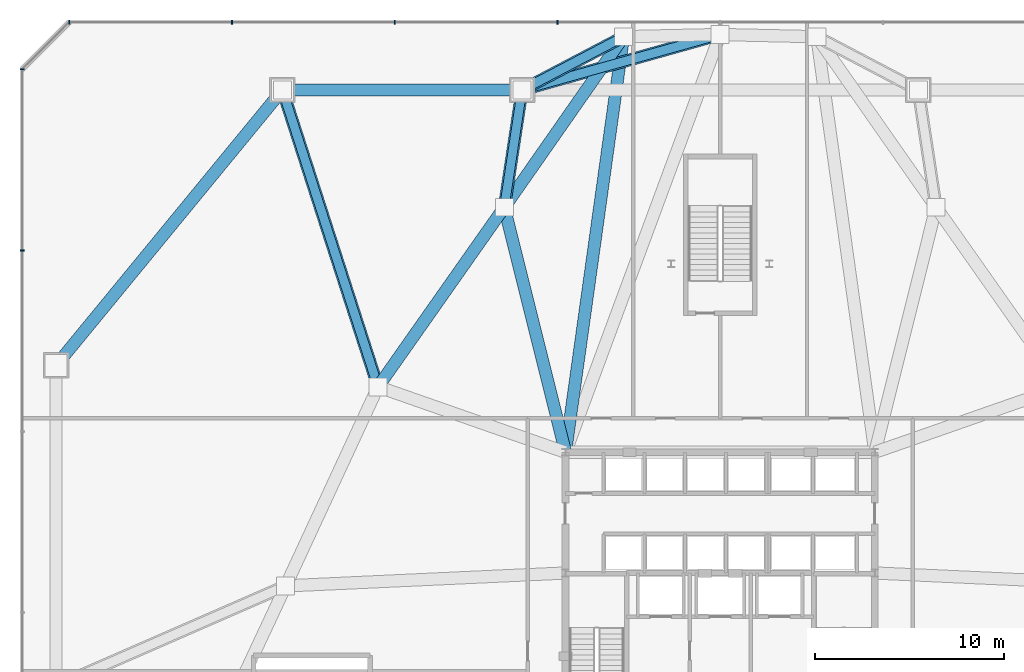
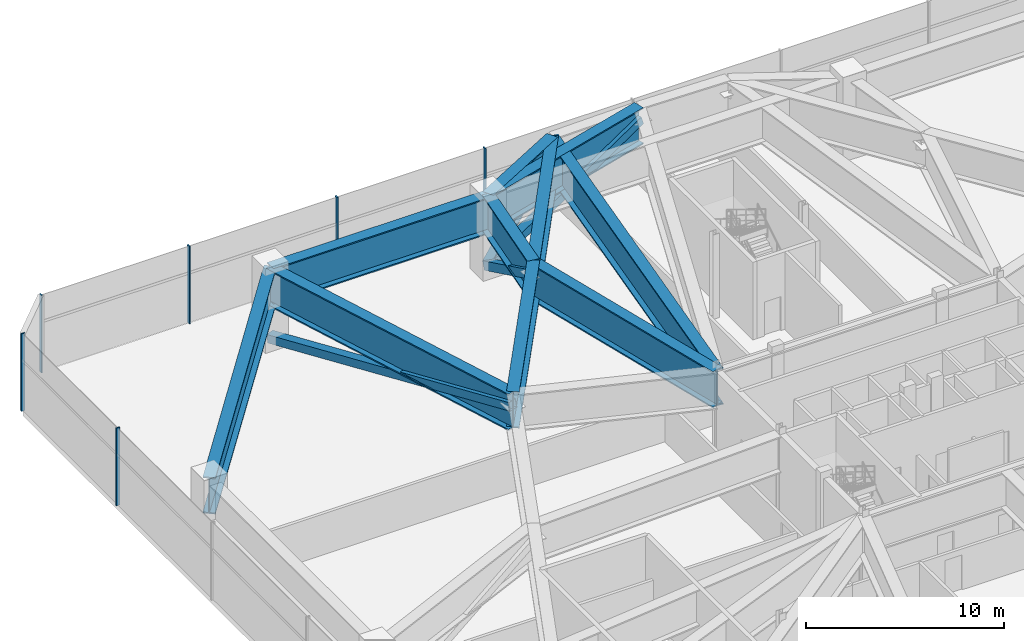
# One storey, part 12 of 29: 10 beams, 10 members, 2 elements without a shape of their own.
"""IFC4 building model written with IfcOpenShell, lengths in metres."""

from ifc_helpers import new_model, si_unit, direction, frame, origin, origin_2d, place, context, subcontext, project, spatial, rectangle, hollow_rectangle, i_section, extrude, source, transform, mapped, material, layer, layer_set, material_profile, profile_set, type_object, type_shapes, element, aggregate, save


model = new_model("IFC4")

# Units and contexts
model_context = context("Model", 3, precision=1e-05, world=origin(), true_north=direction((0.0, 1.0)))
body_context = subcontext(model_context, "Body", "Model", "MODEL_VIEW")
ifc_project = project(units=[si_unit("LENGTHUNIT", "METRE"), si_unit("AREAUNIT", "SQUARE_METRE"), si_unit("VOLUMEUNIT", "CUBIC_METRE"), si_unit("PLANEANGLEUNIT", "RADIAN"), si_unit("MASSUNIT", "GRAM", prefix="KILO")], contexts=[model_context])

# Site, building, storey
site_placement = place(None, origin())
site = spatial("IfcSite", under=ifc_project, at=site_placement, CompositionType="ELEMENT")
building_placement = place(site_placement, origin())
building = spatial("IfcBuilding", under=site, at=building_placement, Name="Varakhsha Concourse Tower", CompositionType="ELEMENT")
storey_placement = place(building_placement, frame((0.0, 0.0, 22.0)))
storey = spatial("IfcBuildingStorey", under=building, at=storey_placement, Name="L05", CompositionType="ELEMENT", Elevation=22.0)

# Beams
ifc_material_1 = material(Name="Structural Steel ASTM A992 Grade 50", Category="steel")
ifc_material_profile_1 = material_profile(ifc_material_1, i_section(OverallWidth=0.64990234375, OverallDepth=2.25, WebThickness=0.0400390625, FlangeThickness=0.074951171875, at=origin_2d()), Name="PG 2250x650x75x40")
ifc_profile_set_1 = profile_set([ifc_material_profile_1], Name="Structural Steel ASTM A992 Grade 50")
beam_type = type_object("IfcBeamType", Name="BM-XFER-PG1650", PredefinedType="USERDEFINED", material=ifc_profile_set_1)
beam_1_placement = place(storey_placement, frame((29.5, 50.39990234375, 3.655029296875), z_axis=(-1.0, 0.0, 0.0), x_axis=(0.0, -1.0, 0.0)))
element("IfcBeam", 1, at=beam_1_placement, inside=storey, type_object=beam_type, Name="L05 Stilt Perimeter Transfer Girder 09", ObjectType="GIRDER", PredefinedType="USERDEFINED", context=body_context, shape_type="SweptSolid", body=[
    extrude(i_section(OverallWidth=0.64990234375, OverallDepth=2.25, WebThickness=0.0400390625, FlangeThickness=0.074951171875, at=origin_2d()), origin(), (0.0, 0.0, 1.0), 12.699951171875),
])
beam_2_placement = place(storey_placement, frame((16.800048828125, 50.39990234375, 3.655029296875), z_axis=(-0.634968877859, -0.772537716976, 0.0), x_axis=(0.772537716976, -0.634968877859, 0.0)))
element("IfcBeam", 2, at=beam_2_placement, inside=storey, type_object=beam_type, Name="L05 Stilt Perimeter Transfer Girder 10", ObjectType="GIRDER", PredefinedType="USERDEFINED", context=body_context, shape_type="SweptSolid", body=[
    extrude(i_section(OverallWidth=0.64990234375, OverallDepth=2.25, WebThickness=0.0400390625, FlangeThickness=0.074951171875, at=origin_2d()), origin(), (0.0, 0.0, 1.0), 18.898681640625),
])
beam_3_placement = place(storey_placement, frame((29.5, 50.39990234375, 3.655029296875), z_axis=(0.962959601332, 0.269645704958, 0.0), x_axis=(-0.269645704958, 0.962959601332, 0.0)))
element("IfcBeam", 3, at=beam_3_placement, inside=storey, type_object=beam_type, Name="L05 Podium Transfer Girder 02", ObjectType="GIRDER", PredefinedType="USERDEFINED", context=body_context, shape_type="SweptSolid", body=[
    extrude(i_section(OverallWidth=0.64990234375, OverallDepth=2.25, WebThickness=0.0400390625, FlangeThickness=0.074951171875, at=origin_2d()), origin(), (0.0, 0.0, 1.0), 10.90380859375),
])
beam_4_placement = place(storey_placement, frame((34.8759765625, 53.223388671875, 3.655029296875), z_axis=(-0.572835189136, -0.819670571686, 0.0), x_axis=(0.819670571686, -0.572835189136, 0.0)))
element("IfcBeam", 4, at=beam_4_placement, inside=storey, type_object=beam_type, Name="L05 Tower Base Transfer Ring Girder 03", ObjectType="GIRDER", PredefinedType="USERDEFINED", context=body_context, shape_type="SweptSolid", body=[
    extrude(i_section(OverallWidth=0.64990234375, OverallDepth=2.25, WebThickness=0.0400390625, FlangeThickness=0.074951171875, at=origin_2d()), origin(), (0.0, 0.0, 1.0), 11.0283203125),
])
beam_5_placement = place(storey_placement, frame((29.5, 50.39990234375, 3.655029296875), z_axis=(0.885323429694, 0.464975724996, 0.0), x_axis=(-0.464975724996, 0.885323429694, 0.0)))
element("IfcBeam", 5, at=beam_5_placement, inside=storey, type_object=beam_type, Name="L05 Podium Transfer Girder 03", ObjectType="GIRDER", PredefinedType="USERDEFINED", context=body_context, shape_type="SweptSolid", body=[
    extrude(i_section(OverallWidth=0.64990234375, OverallDepth=2.25, WebThickness=0.0400390625, FlangeThickness=0.074951171875, at=origin_2d()), origin(), (0.0, 0.0, 1.0), 6.072265625),
])
beam_6_placement = place(storey_placement, frame((31.800048828125, 31.199951171875, 3.655029296875), z_axis=(0.138323508638, 0.990387099551, 0.0), x_axis=(-0.990387099551, 0.138323508638, 0.0)))
element("IfcBeam", 6, at=beam_6_placement, inside=storey, type_object=beam_type, Name="L05 Core Radial Transfer Girder 03", ObjectType="GIRDER", PredefinedType="USERDEFINED", context=body_context, shape_type="SweptSolid", body=[
    extrude(i_section(OverallWidth=0.64990234375, OverallDepth=2.25, WebThickness=0.0400390625, FlangeThickness=0.074951171875, at=origin_2d()), origin(), (0.0, 0.0, 1.0), 22.2373046875),
])
beam_7_placement = place(storey_placement, frame((28.55859375, 44.183837890625, 3.655029296875), z_axis=(-0.575386304622, -0.817881776575, 0.0), x_axis=(0.817881776575, -0.575386304622, 0.0)))
element("IfcBeam", 7, at=beam_7_placement, inside=storey, type_object=beam_type, Name="L05 Tower Base Transfer Ring Girder 04", ObjectType="GIRDER", PredefinedType="USERDEFINED", context=body_context, shape_type="SweptSolid", body=[
    extrude(i_section(OverallWidth=0.64990234375, OverallDepth=2.25, WebThickness=0.0400390625, FlangeThickness=0.074951171875, at=origin_2d()), origin(), (0.0, 0.0, 1.0), 11.63232421875),
])
beam_8_placement = place(storey_placement, frame((29.5, 50.39990234375, 3.655029296875), z_axis=(-0.149739809299, -0.988725436869, 0.0), x_axis=(0.988725436869, -0.149739809299, 0.0)))
element("IfcBeam", 8, at=beam_8_placement, inside=storey, type_object=beam_type, Name="L05 Podium Transfer Girder 04", ObjectType="GIRDER", PredefinedType="USERDEFINED", context=body_context, shape_type="SweptSolid", body=[
    extrude(i_section(OverallWidth=0.64990234375, OverallDepth=2.25, WebThickness=0.0400390625, FlangeThickness=0.074951171875, at=origin_2d()), origin(), (0.0, 0.0, 1.0), 6.286865234375),
])
beam_9_placement = place(storey_placement, frame((31.800048828125, 31.199951171875, 3.655029296875), z_axis=(-0.242217961801, 0.9702218607, 0.0), x_axis=(-0.9702218607, -0.242217961801, 0.0)))
element("IfcBeam", 9, at=beam_9_placement, inside=storey, type_object=beam_type, Name="L05 Core Radial Transfer Girder 04", ObjectType="GIRDER", PredefinedType="USERDEFINED", context=body_context, shape_type="SweptSolid", body=[
    extrude(i_section(OverallWidth=0.64990234375, OverallDepth=2.25, WebThickness=0.0400390625, FlangeThickness=0.074951171875, at=origin_2d()), origin(), (0.0, 0.0, 1.0), 13.38232421875),
])
beam_10_placement = place(storey_placement, frame((16.800048828125, 50.39990234375, 3.655029296875), z_axis=(0.306522744937, -0.951863334117, 0.0), x_axis=(0.951863334117, 0.306522744937, 0.0)))
element("IfcBeam", 10, at=beam_10_placement, inside=storey, type_object=beam_type, Name="L05 Podium Transfer Girder 05", ObjectType="GIRDER", PredefinedType="USERDEFINED", context=body_context, shape_type="SweptSolid", body=[
    extrude(i_section(OverallWidth=0.64990234375, OverallDepth=2.25, WebThickness=0.0400390625, FlangeThickness=0.074951171875, at=origin_2d()), origin(), (0.0, 0.0, 1.0), 16.525390625),
])

# Members
ifc_material_2 = material(Name="Structural Steel ASTM A500 Grade C", Category="steel")
ifc_material_profile_2 = material_profile(ifc_material_2, hollow_rectangle(XDim=0.5, YDim=0.5, WallThickness=0.02001953125, at=origin_2d()), Name="HSS 500x500x20")
ifc_profile_set_2 = profile_set([ifc_material_profile_2], Name="Structural Steel ASTM A500 Grade C")
member_type_1 = type_object("IfcMemberType", Name="MB-XFER-HSS500", PredefinedType="BRACE", material=ifc_profile_set_2)
shared_shape_1 = source(origin(), body_context, "Body", "SweptSolid", [
    extrude(hollow_rectangle(XDim=0.5, YDim=0.5, WallThickness=0.02001953125, at=origin_2d()), origin(), (0.0, 0.0, 1.0), 7.03662109375),
])
member_1_placement = place(storey_placement, frame((29.5, 50.39990234375, 0.39990234375), z_axis=(0.764011777654, 0.401262316465, 0.505247025713), x_axis=(-0.464975724996, 0.885323429694, 0.0)))
element("IfcMember", 11, at=member_1_placement, inside=storey, type_object=member_type_1, Name="L05 Transfer Truss Diagonal 03", PredefinedType="BRACE", context=body_context, shape_type="MappedRepresentation", body=[
    mapped(shared_shape_1, transform((0.0, 0.0, 0.0), scale=1.0)),
])
shared_shape_2 = source(origin(), body_context, "Body", "SweptSolid", [
    extrude(hollow_rectangle(XDim=0.5, YDim=0.5, WallThickness=0.02001953125, at=origin_2d()), origin(), (0.0, 0.0, 1.0), 11.46875),
])
member_2_placement = place(storey_placement, frame((29.5, 50.39990234375, 0.39990234375), z_axis=(0.915525281922, 0.256363257305, 0.309986029468), x_axis=(-0.269645704958, 0.962959601332, 0.0)))
element("IfcMember", 12, at=member_2_placement, inside=storey, type_object=member_type_1, Name="L05 Transfer Truss Diagonal 02", PredefinedType="BRACE", context=body_context, shape_type="MappedRepresentation", body=[
    mapped(shared_shape_2, transform((0.0, 0.0, 0.0), scale=1.0)),
])
shared_shape_3 = source(origin(), body_context, "Body", "SweptSolid", [
    extrude(hollow_rectangle(XDim=0.5, YDim=0.5, WallThickness=0.02001953125, at=origin_2d()), origin(), (0.0, 0.0, 1.0), 7.222412109375),
])
member_3_placement = place(storey_placement, frame((29.5, 50.39990234375, 0.39990234375), z_axis=(-0.130342955291, -0.860648854944, 0.492233950972), x_axis=(0.988725436869, -0.149739809299, 0.0)))
element("IfcMember", 13, at=member_3_placement, inside=storey, type_object=member_type_1, Name="L05 Transfer Truss Diagonal 04", PredefinedType="BRACE", context=body_context, shape_type="MappedRepresentation", body=[
    mapped(shared_shape_3, transform((0.0, 0.0, 0.0), scale=1.0)),
])
shared_shape_4 = source(origin(), body_context, "Body", "SweptSolid", [
    extrude(hollow_rectangle(XDim=0.5, YDim=0.5, WallThickness=0.02001953125, at=origin_2d()), origin(), (0.0, 0.0, 1.0), 16.903564453125),
])
type_shapes(member_type_1, [shared_shape_1, shared_shape_2, shared_shape_3, shared_shape_4])
member_4_placement = place(storey_placement, frame((16.800048828125, 50.39990234375, 0.39990234375), z_axis=(0.299666548427, -0.93057237879, 0.210321200992), x_axis=(0.951863334117, 0.306522744937, 0.0)))
element("IfcMember", 14, at=member_4_placement, inside=storey, type_object=member_type_1, Name="L05 Transfer Truss Diagonal 05", PredefinedType="BRACE", context=body_context, shape_type="MappedRepresentation", body=[
    mapped(shared_shape_4, transform((0.0, 0.0, 0.0), scale=1.0)),
])

# Curtain wall, members
ifc_material_3 = material(Name="Anodised Bronze Architectural Aluminium AA 6063-T6", Category="aluminium")
ifc_layer = layer(ifc_material_3, 0.260009765625, Name="CW-SYS-06")
ifc_layer_set = layer_set([ifc_layer], Name="Anodised Bronze Architectural Aluminium AA 6063-T6")
curtain_wall_type = type_object("IfcCurtainWallType", Name="CW-SYS-06", PredefinedType="NOTDEFINED", material=ifc_layer_set)
curtain_wall_1_placement = place(storey_placement, origin())
curtain_wall_1 = element("IfcCurtainWall", 15, at=curtain_wall_1_placement, inside=storey, type_object=curtain_wall_type, Name="L05 Podium Curtain Wall 05", PredefinedType="NOTDEFINED")
ifc_material_profile_3 = material_profile(ifc_material_3, rectangle(XDim=0.074951171875, YDim=0.219970703125, at=origin_2d()), Name="CWM-220X75")
ifc_profile_set_3 = profile_set([ifc_material_profile_3], Name="Anodised Bronze Architectural Aluminium AA 6063-T6")
member_type_2 = type_object("IfcMemberType", Name="CWM-220X75", PredefinedType="MULLION", material=ifc_profile_set_3)
shared_shape_5 = source(origin(), body_context, "Body", "SweptSolid", [
    extrude(rectangle(XDim=0.074951171875, YDim=0.219970703125, at=origin_2d()), origin(), (0.0, 0.0, 1.0), 4.780029296875),
])
type_shapes(member_type_2, [shared_shape_5])
member_5_placement = place(storey_placement, frame((31.375, 54.0, 0.0), z_axis=(0.0, 0.0, 1.0), x_axis=(-1.0, 0.0, 0.0)))
member_5 = element("IfcMember", 16, at=member_5_placement, type_object=member_type_2, Name="CW-POD-L05-05 Mullion 05", PredefinedType="MULLION", context=body_context, shape_type="MappedRepresentation", body=[
    mapped(shared_shape_5, transform((0.0, 0.0, 0.0), scale=1.0)),
])
member_6_placement = place(storey_placement, frame((22.75, 54.0, 0.0), z_axis=(0.0, 0.0, 1.0), x_axis=(-1.0, 0.0, 0.0)))
member_6 = element("IfcMember", 17, at=member_6_placement, type_object=member_type_2, Name="CW-POD-L05-05 Mullion 06", PredefinedType="MULLION", context=body_context, shape_type="MappedRepresentation", body=[
    mapped(shared_shape_5, transform((0.0, 0.0, 0.0), scale=1.0)),
])
member_7_placement = place(storey_placement, frame((14.125, 54.0, 0.0), z_axis=(0.0, 0.0, 1.0), x_axis=(-1.0, 0.0, 0.0)))
member_7 = element("IfcMember", 18, at=member_7_placement, type_object=member_type_2, Name="CW-POD-L05-05 Mullion 07", PredefinedType="MULLION", context=body_context, shape_type="MappedRepresentation", body=[
    mapped(shared_shape_5, transform((0.0, 0.0, 0.0), scale=1.0)),
])
member_8_placement = place(storey_placement, frame((5.5, 54.0, 0.0), z_axis=(0.0, 0.0, 1.0), x_axis=(-1.0, 0.0, 0.0)))
member_8 = element("IfcMember", 19, at=member_8_placement, type_object=member_type_2, Name="CW-POD-L05-05 Mullion 08", PredefinedType="MULLION", context=body_context, shape_type="MappedRepresentation", body=[
    mapped(shared_shape_5, transform((0.0, 0.0, 0.0), scale=1.0)),
])
aggregate(curtain_wall_1, [member_5, member_6, member_7, member_8])

curtain_wall_2_placement = place(storey_placement, origin())
curtain_wall_2 = element("IfcCurtainWall", 20, at=curtain_wall_2_placement, inside=storey, type_object=curtain_wall_type, Name="L05 Podium Curtain Wall 07", PredefinedType="NOTDEFINED")
member_9_placement = place(storey_placement, frame((3.0, 51.5, 0.0), z_axis=(0.0, 0.0, 1.0), x_axis=(0.0, -1.0, 0.0)))
member_9 = element("IfcMember", 21, at=member_9_placement, type_object=member_type_2, Name="CW-POD-L05-07 Mullion 00", PredefinedType="MULLION", context=body_context, shape_type="MappedRepresentation", body=[
    mapped(shared_shape_5, transform((0.0, 0.0, 0.0), scale=1.0)),
])
member_10_placement = place(storey_placement, frame((3.0, 41.89990234375, 0.0), z_axis=(0.0, 0.0, 1.0), x_axis=(0.0, -1.0, 0.0)))
member_10 = element("IfcMember", 22, at=member_10_placement, type_object=member_type_2, Name="CW-POD-L05-07 Mullion 01", PredefinedType="MULLION", context=body_context, shape_type="MappedRepresentation", body=[
    mapped(shared_shape_5, transform((0.0, 0.0, 0.0), scale=1.0)),
])
aggregate(curtain_wall_2, [member_9, member_10])

save(model, "model.ifc")
